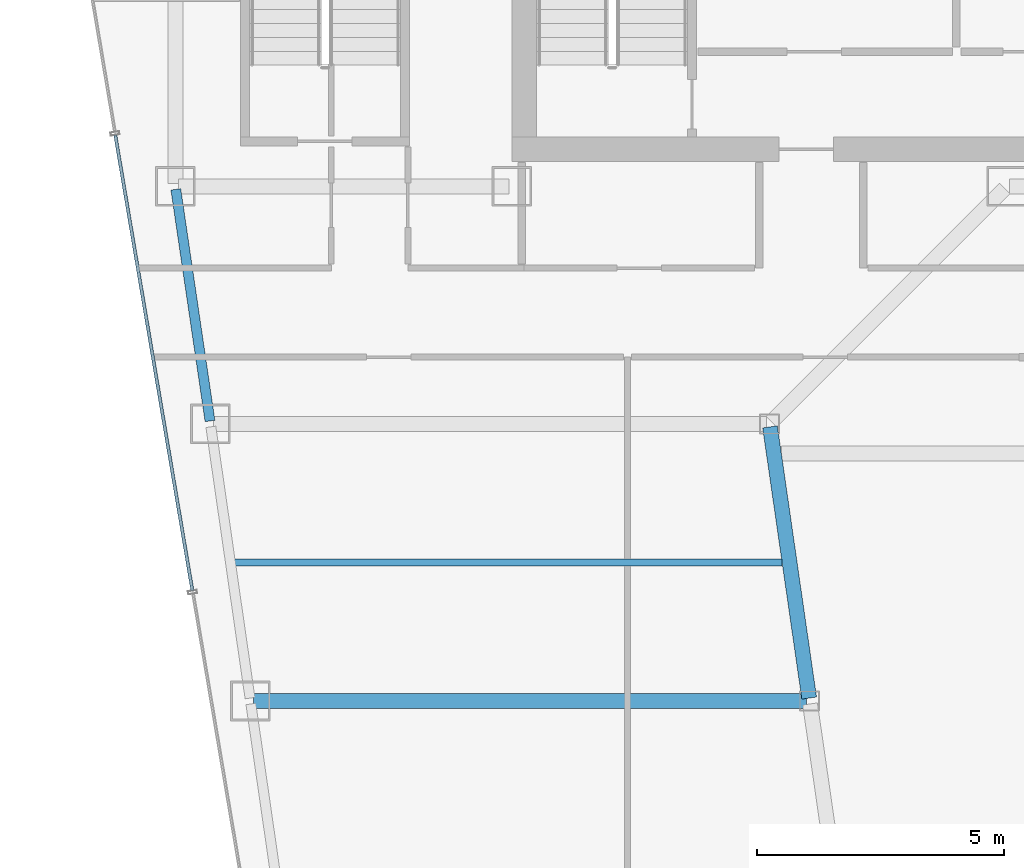
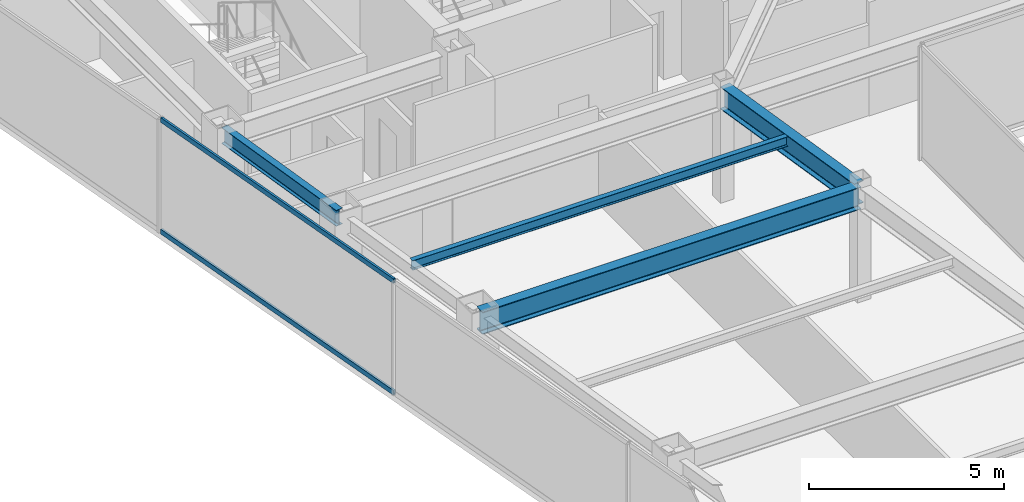
# One storey, part 10 of 35: 4 beams, 2 members, 1 element without a shape of its own.
"""IFC4 building model written with IfcOpenShell, lengths in metres."""

from ifc_helpers import new_model, si_unit, direction, frame, origin, origin_2d, place, context, subcontext, project, spatial, hollow_rectangle, i_section, extrude, material, material_profile, profile_set, type_object, element, aggregate, save


model = new_model("IFC4")

# Units and contexts
model_context = context("Model", 3, precision=1e-05, world=origin(), true_north=direction((0.0, 1.0)))
body_context = subcontext(model_context, "Body", "Model", "MODEL_VIEW")
ifc_project = project(units=[si_unit("LENGTHUNIT", "METRE"), si_unit("AREAUNIT", "SQUARE_METRE"), si_unit("VOLUMEUNIT", "CUBIC_METRE"), si_unit("PLANEANGLEUNIT", "RADIAN"), si_unit("MASSUNIT", "GRAM", prefix="KILO")], contexts=[model_context])

# Site, building, storey
site_placement = place(None, origin())
site = spatial("IfcSite", under=ifc_project, at=site_placement, CompositionType="ELEMENT")
building_placement = place(site_placement, origin())
building = spatial("IfcBuilding", under=site, at=building_placement, Name="Saevonmaru Cultural Tower", CompositionType="ELEMENT")
storey_placement = place(building_placement, frame((0.0, 0.0, 213.199951171875)))
storey = spatial("IfcBuildingStorey", under=building, at=storey_placement, Name="L49", CompositionType="ELEMENT", Elevation=213.199951171875)

# Beams
ifc_material_1 = material(Name="Steel SM355", Category="steel")
ifc_material_profile_1 = material_profile(ifc_material_1, i_section(OverallWidth=0.300048828125, OverallDepth=0.699951171875, WebThickness=0.012939453125, FlangeThickness=0.02392578125, FilletRadius=0.02587890625, at=origin_2d()), Name="H-700x300x13x24")
ifc_profile_set_1 = profile_set([ifc_material_profile_1], Name="Steel SM355")
beam_type_1 = type_object("IfcBeamType", Name="BM-G-H700", PredefinedType="BEAM", material=ifc_profile_set_1)
beam_1_placement = place(storey_placement, frame((19.6083984375, 32.059326171875, 3.199951171875), z_axis=(-0.142964121327, 0.989727871697, 0.0), x_axis=(-0.989727871697, -0.142964121327, 0.0)))
element("IfcBeam", 1, at=beam_1_placement, inside=storey, type_object=beam_type_1, Name="L49 West Atrium Girder 3", PredefinedType="BEAM", context=body_context, shape_type="SweptSolid", body=[
    extrude(i_section(OverallWidth=0.300048828125, OverallDepth=0.699951171875, WebThickness=0.012939453125, FlangeThickness=0.02392578125, FilletRadius=0.02587890625, at=origin_2d()), origin(), (0.0, 0.0, 1.0), 5.5380859375),
])
beam_2_placement = place(storey_placement, frame((8.376953125, 32.0, 3.199951171875), z_axis=(1.0, 0.0, 0.0), x_axis=(0.0, 1.0, 0.0)))
element("IfcBeam", 2, at=beam_2_placement, inside=storey, type_object=beam_type_1, Name="L49 West Wing Transverse Girder 3", PredefinedType="BEAM", context=body_context, shape_type="SweptSolid", body=[
    extrude(i_section(OverallWidth=0.300048828125, OverallDepth=0.699951171875, WebThickness=0.012939453125, FlangeThickness=0.02392578125, FilletRadius=0.02587890625, at=origin_2d()), origin(), (0.0, 0.0, 1.0), 11.179931640625),
])
ifc_material_profile_2 = material_profile(ifc_material_1, i_section(OverallWidth=0.14990234375, OverallDepth=0.300048828125, WebThickness=0.006591796875, FlangeThickness=0.009033203125, FilletRadius=0.012939453125, at=origin_2d()), Name="H-300x150x6.5x9")
ifc_profile_set_2 = profile_set([ifc_material_profile_2], Name="Steel SM355")
beam_type_2 = type_object("IfcBeamType", Name="BM-J-H300", PredefinedType="JOIST", material=ifc_profile_set_2)
beam_3_placement = place(storey_placement, frame((7.972412109375, 34.800048828125, 3.400146484375), z_axis=(1.0, 0.0, 0.0), x_axis=(0.0, 1.0, 0.0)))
element("IfcBeam", 3, at=beam_3_placement, inside=storey, type_object=beam_type_2, Name="L49 West Wing Floor Joist 3", PredefinedType="JOIST", context=body_context, shape_type="SweptSolid", body=[
    extrude(i_section(OverallWidth=0.14990234375, OverallDepth=0.300048828125, WebThickness=0.006591796875, FlangeThickness=0.009033203125, FilletRadius=0.012939453125, at=origin_2d()), origin(), (0.0, 0.0, 1.0), 11.08203125),
])
ifc_material_profile_3 = material_profile(ifc_material_1, i_section(OverallWidth=0.199951171875, OverallDepth=0.5, WebThickness=0.010009765625, FlangeThickness=0.01611328125, FilletRadius=0.02001953125, at=origin_2d()), Name="H-500x200x10x16")
ifc_profile_set_3 = profile_set([ifc_material_profile_3], Name="Steel SM355")
beam_type_3 = type_object("IfcBeamType", Name="BM-SP-H500", PredefinedType="SPANDREL", material=ifc_profile_set_3)
beam_4_placement = place(storey_placement, frame((7.499267578125, 37.659423828125, 3.300048828125), z_axis=(-0.145912860028, 0.989297446312, 0.0), x_axis=(-0.989297446312, -0.145912860028, 0.0)))
element("IfcBeam", 4, at=beam_4_placement, inside=storey, type_object=beam_type_3, Name="L49 West Splayed Spandrel 4", PredefinedType="SPANDREL", context=body_context, shape_type="SweptSolid", body=[
    extrude(i_section(OverallWidth=0.199951171875, OverallDepth=0.5, WebThickness=0.010009765625, FlangeThickness=0.01611328125, FilletRadius=0.02001953125, at=origin_2d()), origin(), (0.0, 0.0, 1.0), 4.731689453125),
])

# Curtain wall, members
ifc_material_2 = material(Name="Satin Bronze Anodised Aluminium", Category="aluminium")
curtain_wall_type = type_object("IfcCurtainWallType", Name="CW-TYP-B", PredefinedType="NOTDEFINED", material=ifc_material_2)
curtain_wall_placement = place(storey_placement, origin())
curtain_wall = element("IfcCurtainWall", 5, at=curtain_wall_placement, inside=storey, type_object=curtain_wall_type, Name="L49 Unitised Curtain Wall E12", PredefinedType="NOTDEFINED")
ifc_material_profile_4 = material_profile(ifc_material_2, hollow_rectangle(XDim=0.06494140625, YDim=0.14990234375, WallThickness=0.00390625, at=origin_2d()), Name="ALU-TRAN-150x65x4")
ifc_profile_set_4 = profile_set([ifc_material_profile_4], Name="Satin Bronze Anodised Aluminium")
member_type = type_object("IfcMemberType", Name="TR-CW-150x65", PredefinedType="USERDEFINED", material=ifc_profile_set_4)
member_1_placement = place(storey_placement, frame((5.5849609375, 43.4384765625, 0.032470703125), z_axis=(0.166916960754, -0.985970957084, 0.0), x_axis=(0.985970957084, 0.166916960754, 0.0)))
member_1 = element("IfcMember", 6, at=member_1_placement, type_object=member_type, Name="CW-TW-L49-E12 transom 2.1", ObjectType="TRANSOM", PredefinedType="USERDEFINED", context=body_context, shape_type="SweptSolid", body=[
    extrude(hollow_rectangle(XDim=0.06494140625, YDim=0.14990234375, WallThickness=0.00390625, at=origin_2d()), origin(), (0.0, 0.0, 1.0), 9.337646484375),
])
member_2_placement = place(storey_placement, frame((5.5849609375, 43.4384765625, 3.517578125), z_axis=(0.166916960754, -0.985970957084, 0.0), x_axis=(0.985970957084, 0.166916960754, 0.0)))
member_2 = element("IfcMember", 7, at=member_2_placement, type_object=member_type, Name="CW-TW-L49-E12 transom 2.2", ObjectType="TRANSOM", PredefinedType="USERDEFINED", context=body_context, shape_type="SweptSolid", body=[
    extrude(hollow_rectangle(XDim=0.06494140625, YDim=0.14990234375, WallThickness=0.00390625, at=origin_2d()), origin(), (0.0, 0.0, 1.0), 9.337646484375),
])
aggregate(curtain_wall, [member_1, member_2])

save(model, "model.ifc")
